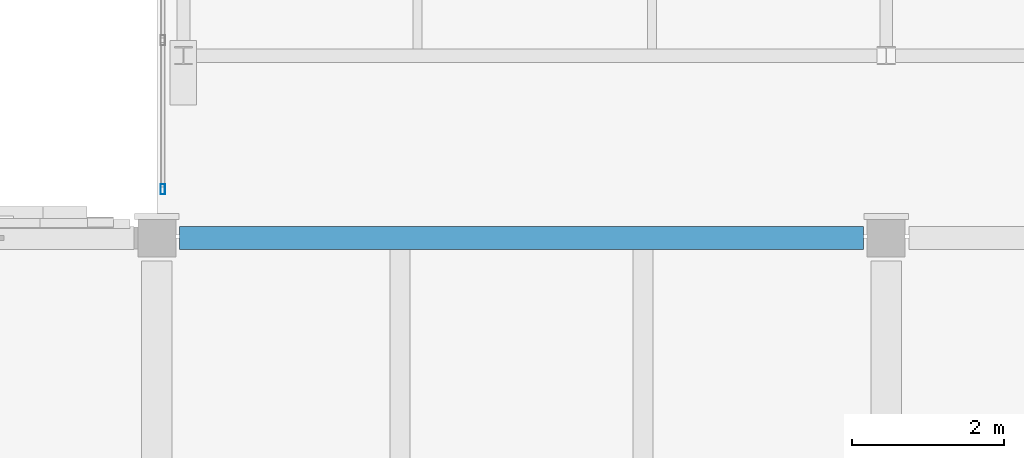
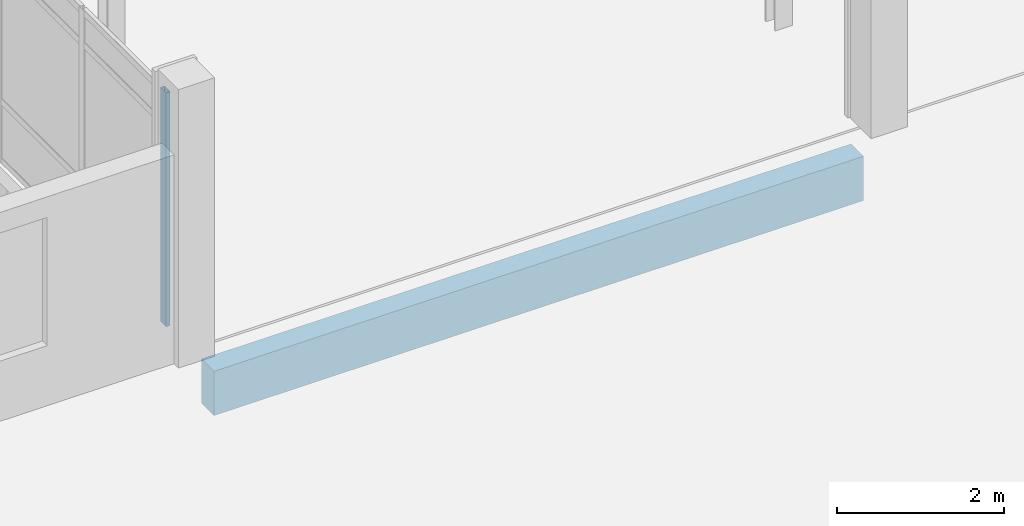
# One storey, part 5 of 72: 1 beam, 1 member, 1 element without a shape of its own.
"""IFC4 building model written with IfcOpenShell, lengths in metres."""

from ifc_helpers import new_model, si_unit, direction, frame, origin, origin_2d, place, context, subcontext, project, spatial, rectangle, hollow_rectangle, extrude, material, layer, layer_set, material_profile, profile_set, type_object, element, aggregate, save


model = new_model("IFC4")

# Units and contexts
model_context = context("Model", 3, precision=1e-05, world=origin(), true_north=direction((0.0, 1.0)))
body_context = subcontext(model_context, "Body", "Model", "MODEL_VIEW")
ifc_project = project(units=[si_unit("LENGTHUNIT", "METRE"), si_unit("AREAUNIT", "SQUARE_METRE"), si_unit("VOLUMEUNIT", "CUBIC_METRE"), si_unit("PLANEANGLEUNIT", "RADIAN"), si_unit("MASSUNIT", "GRAM", prefix="KILO")], contexts=[model_context])

# Site, building, storey
site_placement = place(None, origin())
site = spatial("IfcSite", under=ifc_project, at=site_placement, CompositionType="ELEMENT")
building_placement = place(site_placement, origin())
building = spatial("IfcBuilding", under=site, at=building_placement, Name="Asteropetra Specialist Clinic", CompositionType="ELEMENT")
storey_placement = place(building_placement, frame((0.0, 0.0, 12.580078125)))
storey = spatial("IfcBuildingStorey", under=building, at=storey_placement, Name="L03", CompositionType="ELEMENT", Elevation=12.580078125)

# Curtain wall, member
ifc_material_1 = material(Name="Aluminium and low-E glass", Category="aluminium")
ifc_layer = layer(ifc_material_1, 0.14990234375)
ifc_layer_set = layer_set([ifc_layer], Name="Aluminium and low-E glass")
curtain_wall_type = type_object("IfcCurtainWallType", Name="CW-SYS-08", PredefinedType="USERDEFINED", material=ifc_layer_set)
curtain_wall_placement = place(storey_placement, origin())
curtain_wall = element("IfcCurtainWall", 1, at=curtain_wall_placement, inside=storey, type_object=curtain_wall_type, Name="Curtain Wall CW-107", ObjectType="STICK GLAZED COLONNADE", PredefinedType="USERDEFINED")
ifc_material_2 = material(Name="Aluminium 6063-T6", Category="aluminium")
ifc_material_profile_1 = material_profile(ifc_material_2, hollow_rectangle(XDim=0.06005859375, YDim=0.135009765625, WallThickness=0.00341796875, InnerFilletRadius=0.00341796875, OuterFilletRadius=0.007080078125, at=origin_2d()), Name="MUL 135x60x3.5")
ifc_profile_set_1 = profile_set([ifc_material_profile_1], Name="Aluminium 6063-T6")
member_type = type_object("IfcMemberType", Name="CWM-135x60", PredefinedType="MULLION", material=ifc_profile_set_1)
member_placement = place(storey_placement, frame((9.679931640625, 63.0400390625, 0.0), z_axis=(0.0, 0.0, 1.0), x_axis=(-1.0, 0.0, 0.0)))
member = element("IfcMember", 2, at=member_placement, type_object=member_type, Name="CW-107 mullion 1", PredefinedType="MULLION", context=body_context, shape_type="SweptSolid", body=[
    extrude(hollow_rectangle(XDim=0.06005859375, YDim=0.135009765625, WallThickness=0.00341796875, InnerFilletRadius=0.00341796875, OuterFilletRadius=0.007080078125, at=origin_2d()), origin(), (0.0, 0.0, 1.0), 3.429931640625),
])
aggregate(curtain_wall, [member])

# Beam
ifc_material_3 = material(Name="Concrete C35/45", Category="concrete")
ifc_material_profile_2 = material_profile(ifc_material_3, rectangle(XDim=0.300048828125, YDim=0.64990234375, at=origin_2d()), Name="RCS 300x650")
ifc_profile_set_2 = profile_set([ifc_material_profile_2], Name="Concrete C35/45")
beam_type = type_object("IfcBeamType", Name="SPN-RC300x650", PredefinedType="SPANDREL", material=ifc_profile_set_2)
beam_placement = place(storey_placement, frame((9.89990234375, 62.39990234375, -0.625), z_axis=(1.0, 0.0, 0.0), x_axis=(0.0, 1.0, 0.0)))
element("IfcBeam", 3, at=beam_placement, inside=storey, type_object=beam_type, Name="Beam BSPN03-1387", PredefinedType="SPANDREL", context=body_context, shape_type="SweptSolid", body=[
    extrude(rectangle(XDim=0.300048828125, YDim=0.64990234375, at=origin_2d()), origin(), (0.0, 0.0, 1.0), 9.0),
])

save(model, "model.ifc")
